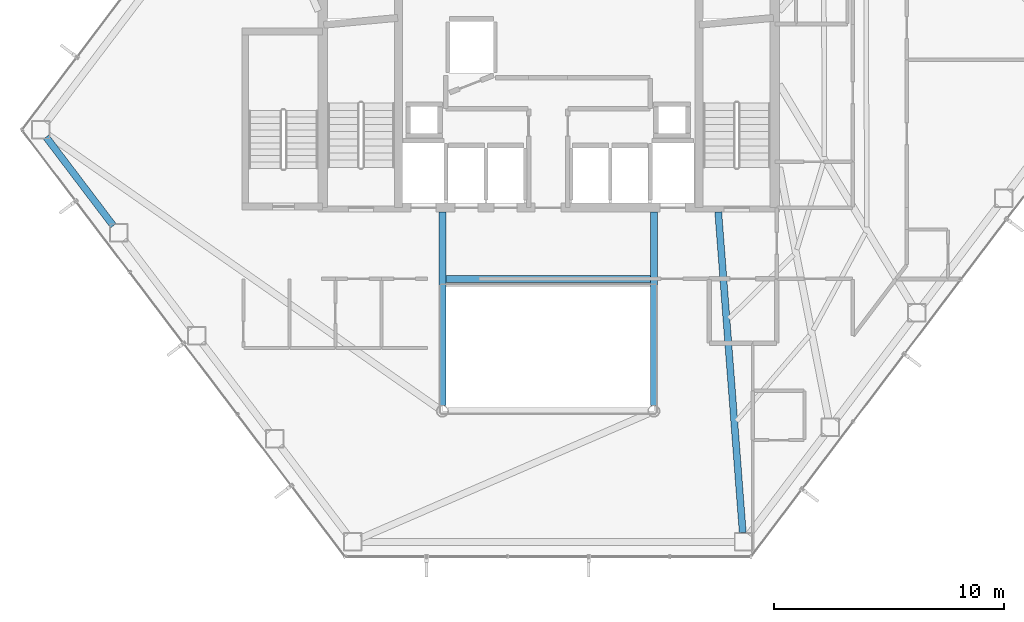
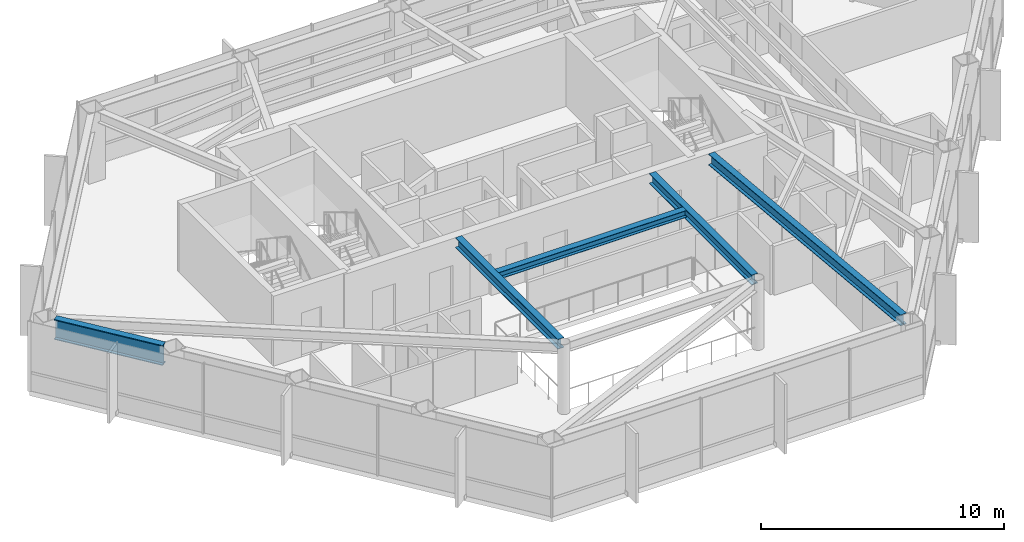
# One storey, part 9 of 28: 5 beams.
"""IFC4 building model written with IfcOpenShell, lengths in metres."""

from ifc_helpers import new_model, si_unit, direction, frame, origin, origin_2d, place, context, subcontext, project, spatial, i_section, extrude, material, material_profile, profile_set, type_object, element, save


model = new_model("IFC4")

# Units and contexts
model_context = context("Model", 3, precision=1e-05, world=origin(), true_north=direction((0.0, 1.0)))
body_context = subcontext(model_context, "Body", "Model", "MODEL_VIEW")
ifc_project = project(units=[si_unit("LENGTHUNIT", "METRE"), si_unit("AREAUNIT", "SQUARE_METRE"), si_unit("VOLUMEUNIT", "CUBIC_METRE"), si_unit("PLANEANGLEUNIT", "RADIAN"), si_unit("MASSUNIT", "GRAM", prefix="KILO")], contexts=[model_context])

# Site, building, storey
site_placement = place(None, origin())
site = spatial("IfcSite", under=ifc_project, at=site_placement, CompositionType="ELEMENT")
building_placement = place(site_placement, origin())
building = spatial("IfcBuilding", under=site, at=building_placement, Name="Zarrinselat Tower", CompositionType="ELEMENT")
storey_placement = place(building_placement, frame((0.0, 0.0, 127.159912109375)))
storey = spatial("IfcBuildingStorey", under=building, at=storey_placement, Name="L30", CompositionType="ELEMENT", Elevation=127.159912109375)

# Beams
ifc_material_1 = material(Name="Steel S355J2", Category="steel")
ifc_material_profile_1 = material_profile(ifc_material_1, i_section(OverallWidth=0.300048828125, OverallDepth=0.35009765625, WebThickness=0.010009765625, FlangeThickness=0.017578125, at=origin_2d()), Name="HEA 360")
ifc_profile_set_1 = profile_set([ifc_material_profile_1], Name="Steel S355J2")
beam_type_1 = type_object("IfcBeamType", Name="BM-HEA360", PredefinedType="LINTEL", material=ifc_profile_set_1)
beam_1_placement = place(storey_placement, frame((33.93994140625, 30.14990234375, 3.3251953125), z_axis=(1.0, 0.0, 0.0), x_axis=(0.0, 1.0, 0.0)))
element("IfcBeam", 1, at=beam_1_placement, inside=storey, type_object=beam_type_1, Name="L30 Lift Lobby Ceiling Beam", PredefinedType="LINTEL", context=body_context, shape_type="SweptSolid", body=[
    extrude(i_section(OverallWidth=0.300048828125, OverallDepth=0.35009765625, WebThickness=0.010009765625, FlangeThickness=0.017578125, at=origin_2d()), origin(), (0.0, 0.0, 1.0), 8.920166015625),
])
ifc_material_2 = material(Name="Steel S355J2", Category="steel")
ifc_material_profile_2 = material_profile(ifc_material_2, i_section(OverallWidth=0.300048828125, OverallDepth=0.5, WebThickness=0.014404296875, FlangeThickness=0.028076171875, at=origin_2d()), Name="HEB 500")
ifc_profile_set_2 = profile_set([ifc_material_profile_2], Name="Steel S355J2")
beam_type_2 = type_object("IfcBeamType", Name="BM-HEB500", PredefinedType="BEAM", material=ifc_profile_set_2)
for number, where, z_axis, x_axis, name in (
    (2, (33.800048828125, 24.639892578125, 3.25), (0.0, 1.0, 0.0), (-1.0, 0.0, 0.0), "L30 Atrium Edge Beam W"),
    (3, (43.0, 24.639892578125, 3.25), (0.0, 1.0, 0.0), (-1.0, 0.0, 0.0), "L30 Atrium Edge Beam E"),
):
    element("IfcBeam", number, at=place(storey_placement, frame(where, z_axis=z_axis, x_axis=x_axis)), inside=storey, type_object=beam_type_2, Name=name, PredefinedType="BEAM", context=body_context, shape_type="SweptSolid", body=[
        extrude(i_section(OverallWidth=0.300048828125, OverallDepth=0.5, WebThickness=0.014404296875, FlangeThickness=0.028076171875, at=origin_2d()), origin(), (0.0, 0.0, 1.0), 8.420166015625),
    ])
ifc_material_3 = material(Name="Steel S355J2", Category="steel")
ifc_material_profile_3 = material_profile(ifc_material_3, i_section(OverallWidth=0.300048828125, OverallDepth=0.550048828125, WebThickness=0.014892578125, FlangeThickness=0.029052734375, at=origin_2d()), Name="HEB 550")
ifc_profile_set_3 = profile_set([ifc_material_profile_3], Name="Steel S355J2")
beam_type_3 = type_object("IfcBeamType", Name="BM-HEB550", PredefinedType="BEAM", material=ifc_profile_set_3)
beam_2_placement = place(storey_placement, frame((45.800048828125, 33.06005859375, 3.22509765625), z_axis=(0.076105026411, -0.997099806918, 0.0), x_axis=(0.997099806918, 0.076105026411, 0.0)))
element("IfcBeam", 4, at=beam_2_placement, inside=storey, type_object=beam_type_3, Name="L30 Radial Primary Girder RG11", PredefinedType="BEAM", context=body_context, shape_type="SweptSolid", body=[
    extrude(i_section(OverallWidth=0.300048828125, OverallDepth=0.550048828125, WebThickness=0.014892578125, FlangeThickness=0.029052734375, at=origin_2d()), origin(), (0.0, 0.0, 1.0), 13.9833984375),
])
ifc_material_4 = material(Name="Steel S460M", Category="steel")
ifc_material_profile_4 = material_profile(ifc_material_4, i_section(OverallWidth=0.302001953125, OverallDepth=1.008056640625, WebThickness=0.02099609375, FlangeThickness=0.0400390625, at=origin_2d()), Name="HEM 1000")
ifc_profile_set_4 = profile_set([ifc_material_profile_4], Name="Steel S460M")
beam_type_4 = type_object("IfcBeamType", Name="BM-HEM1000", PredefinedType="BEAM", material=ifc_profile_set_4)
beam_3_placement = place(storey_placement, frame((16.5693359375, 36.319580078125, 2.99609375), z_axis=(0.603865454398, -0.797086264456, 0.0), x_axis=(0.797086264456, 0.603865454398, 0.0)))
element("IfcBeam", 5, at=beam_3_placement, inside=storey, type_object=beam_type_4, Name="L30 Perimeter Spandrel Girder SP06", PredefinedType="BEAM", context=body_context, shape_type="SweptSolid", body=[
    extrude(i_section(OverallWidth=0.302001953125, OverallDepth=1.008056640625, WebThickness=0.02099609375, FlangeThickness=0.0400390625, at=origin_2d()), origin(), (0.0, 0.0, 1.0), 4.841796875),
])

save(model, "model.ifc")
